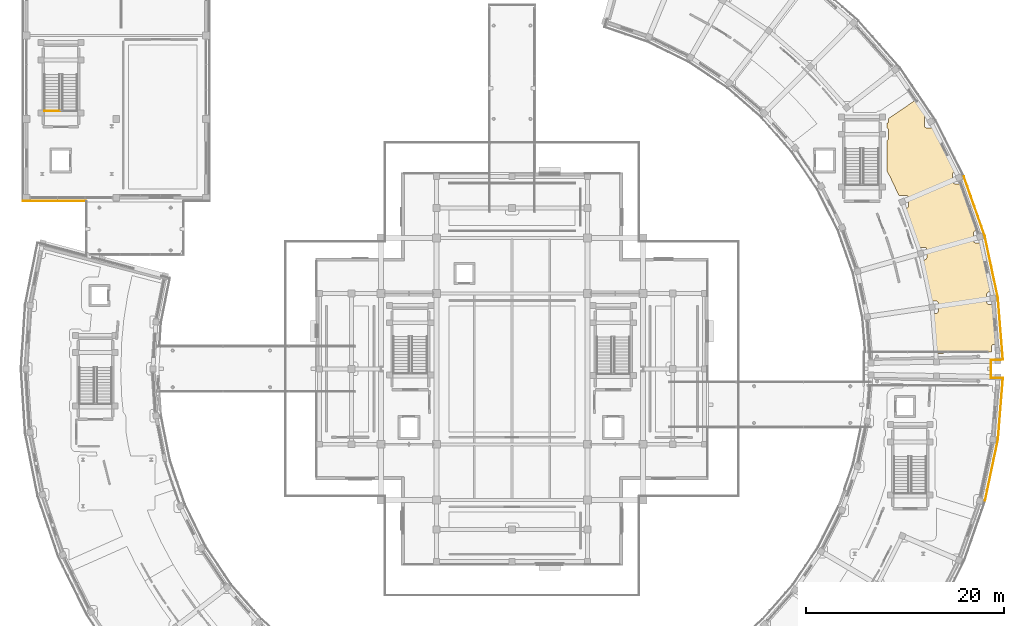
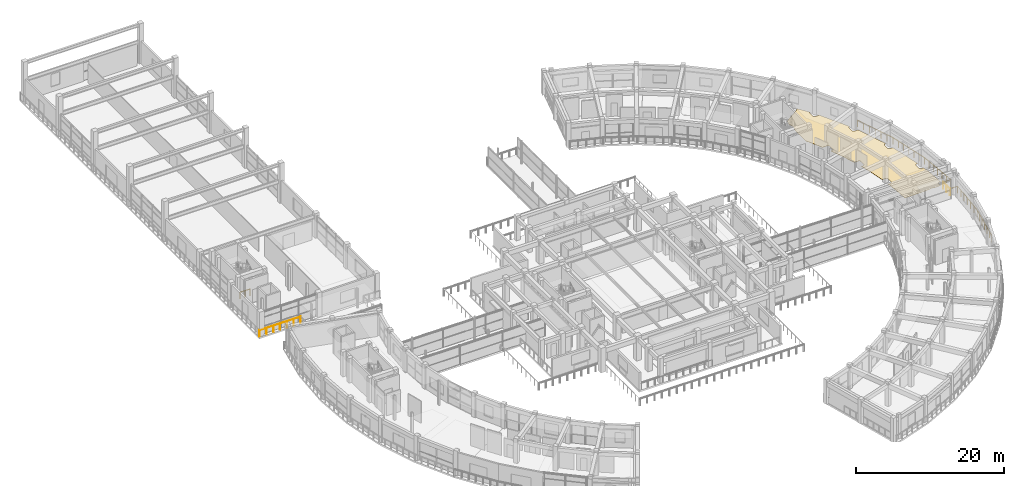
# One storey, part 67 of 72: 10 railings, 1 covering.
"""IFC4 building model written with IfcOpenShell, lengths in metres."""

from ifc_helpers import new_model, si_unit, direction, frame, origin, origin_2d, place, context, subcontext, project, spatial, polyline, rectangle, outline, extrude, material, layer, layer_set, type_object, element, save


model = new_model("IFC4")

# Units and contexts
model_context = context("Model", 3, precision=1e-05, world=origin(), true_north=direction((0.0, 1.0)))
body_context = subcontext(model_context, "Body", "Model", "MODEL_VIEW")
ifc_project = project(units=[si_unit("LENGTHUNIT", "METRE"), si_unit("AREAUNIT", "SQUARE_METRE"), si_unit("VOLUMEUNIT", "CUBIC_METRE"), si_unit("PLANEANGLEUNIT", "RADIAN"), si_unit("MASSUNIT", "GRAM", prefix="KILO")], contexts=[model_context])

# Site, building, storey
site_placement = place(None, origin())
site = spatial("IfcSite", under=ifc_project, at=site_placement, CompositionType="ELEMENT")
building_placement = place(site_placement, origin())
building = spatial("IfcBuilding", under=site, at=building_placement, Name="Saryqyr Civic Hall", CompositionType="ELEMENT")
storey_placement = place(building_placement, frame((0.0, 0.0, 17.25)))
storey = spatial("IfcBuildingStorey", under=building, at=storey_placement, Name="L04", CompositionType="ELEMENT", Elevation=17.25)

# Covering
ifc_material_1 = material(Name="Polished terrazzo tile", Category="stone")
ifc_layer_1 = layer(ifc_material_1, 0.030029296875, Name="Polished terrazzo tile")
ifc_layer_set_1 = layer_set([ifc_layer_1], Name="Polished terrazzo tile")
covering_type = type_object("IfcCoveringType", Name="INT-COV-FLR-30", PredefinedType="FLOORING", material=ifc_layer_set_1)
covering_placement = place(storey_placement, origin())
element("IfcCovering", 1, at=covering_placement, inside=storey, type_object=covering_type, Name="Polished terrazzo flooring Deputy Mayors' Executive Offices", PredefinedType="FLOORING", context=body_context, shape_type="SweptSolid", body=[
    extrude(outline(polyline([(98.691650390625, 109.521484375), (98.67041015625, 109.5087890625), (98.65087890625, 109.494140625), (98.632568359375, 109.477783203125), (98.6162109375, 109.45947265625), (98.6015625, 109.439697265625), (98.5888671875, 109.418701171875), (98.578369140625, 109.396484375), (98.5703125, 109.37353515625), (98.564208984375, 109.349609375), (98.560546875, 109.325439453125), (98.559326171875, 109.30078125), (98.559326171875, 108.541015625), (98.560546875, 108.516357421875), (98.564208984375, 108.4921875), (98.5703125, 108.46826171875), (98.578369140625, 108.4453125), (98.5888671875, 108.423095703125), (98.6015625, 108.402099609375), (98.6162109375, 108.38232421875), (98.632568359375, 108.364013671875), (98.65087890625, 108.34765625), (98.67041015625, 108.3330078125), (98.691650390625, 108.3203125), (98.713623046875, 108.309814453125), (98.73681640625, 108.3017578125), (98.760498046875, 108.295654296875), (98.784912109375, 108.2919921875), (98.809326171875, 108.291015625), (99.453369140625, 108.291015625), (99.78857421875, 107.681640625), (101.55859375, 104.16650390625), (101.680908203125, 103.905517578125), (101.66943359375, 103.905517578125), (101.64501953125, 103.904296875), (101.62060546875, 103.90087890625), (101.5966796875, 103.894775390625), (101.57373046875, 103.88671875), (101.551513671875, 103.876220703125), (101.530517578125, 103.863525390625), (101.5107421875, 103.848876953125), (101.49267578125, 103.83251953125), (101.47607421875, 103.814208984375), (101.46142578125, 103.79443359375), (101.448974609375, 103.7734375), (101.4384765625, 103.751220703125), (101.43017578125, 103.728271484375), (101.42431640625, 103.704345703125), (101.420654296875, 103.68017578125), (101.41943359375, 103.655517578125), (101.41943359375, 102.8955078125), (101.420654296875, 102.87109375), (101.42431640625, 102.8466796875), (101.43017578125, 102.822998046875), (101.4384765625, 102.7998046875), (101.448974609375, 102.77783203125), (101.46142578125, 102.756591796875), (101.47607421875, 102.737060546875), (101.49267578125, 102.71875), (101.5107421875, 102.702392578125), (101.530517578125, 102.687744140625), (101.551513671875, 102.675048828125), (101.57373046875, 102.66455078125), (101.5966796875, 102.656494140625), (101.62060546875, 102.650390625), (101.64501953125, 102.646728515625), (101.66943359375, 102.6455078125), (102.217529296875, 102.6455078125), (102.471435546875, 102.0009765625), (103.781494140625, 98.272216796875), (103.888916015625, 97.938720703125), (103.778076171875, 97.938720703125), (103.75341796875, 97.9375), (103.729248046875, 97.93408203125), (103.705322265625, 97.927978515625), (103.682373046875, 97.919921875), (103.66015625, 97.9091796875), (103.63916015625, 97.896728515625), (103.619384765625, 97.882080078125), (103.601318359375, 97.865478515625), (103.584716796875, 97.847412109375), (103.570068359375, 97.82763671875), (103.5576171875, 97.806640625), (103.547119140625, 97.784423828125), (103.538818359375, 97.761474609375), (103.53271484375, 97.737548828125), (103.529296875, 97.71337890625), (103.528076171875, 97.688720703125), (103.528076171875, 96.9287109375), (103.529296875, 96.904296875), (103.53271484375, 96.8798828125), (103.538818359375, 96.856201171875), (103.547119140625, 96.8330078125), (103.5576171875, 96.81103515625), (103.570068359375, 96.789794921875), (103.584716796875, 96.770263671875), (103.601318359375, 96.751953125), (103.619384765625, 96.735595703125), (103.63916015625, 96.720947265625), (103.66015625, 96.708251953125), (103.682373046875, 96.69775390625), (103.705322265625, 96.689697265625), (103.729248046875, 96.68359375), (103.75341796875, 96.679931640625), (103.778076171875, 96.6787109375), (104.23828125, 96.6787109375), (104.40380859375, 96.022705078125), (105.29248046875, 91.75), (105.10009765625, 91.75), (105.075439453125, 91.748779296875), (105.05126953125, 91.7451171875), (105.02734375, 91.7392578125), (105.00439453125, 91.73095703125), (104.982177734375, 91.720458984375), (104.961181640625, 91.7080078125), (104.94140625, 91.693359375), (104.923095703125, 91.6767578125), (104.90673828125, 91.65869140625), (104.89208984375, 91.638916015625), (104.87939453125, 91.617919921875), (104.868896484375, 91.595703125), (104.86083984375, 91.572509765625), (104.854736328125, 91.548828125), (104.851318359375, 91.5244140625), (104.85009765625, 91.5), (104.85009765625, 90.739990234375), (104.851318359375, 90.715576171875), (104.854736328125, 90.691162109375), (104.86083984375, 90.66748046875), (104.868896484375, 90.644287109375), (104.87939453125, 90.622314453125), (104.89208984375, 90.60107421875), (104.90673828125, 90.581298828125), (104.923095703125, 90.563232421875), (104.94140625, 90.546630859375), (104.961181640625, 90.531982421875), (104.982177734375, 90.51953125), (105.00439453125, 90.509033203125), (105.02734375, 90.500732421875), (105.05126953125, 90.494873046875), (105.075439453125, 90.4912109375), (105.10009765625, 90.489990234375), (105.476806640625, 90.489990234375), (105.55419921875, 89.845947265625), (105.814208984375, 86.46826171875), (105.58544921875, 86.46826171875), (105.56103515625, 86.467041015625), (105.53662109375, 86.46337890625), (105.512939453125, 86.45751953125), (105.48974609375, 86.44921875), (105.4677734375, 86.438720703125), (105.446533203125, 86.42626953125), (105.427001953125, 86.41162109375), (105.40869140625, 86.39501953125), (105.39208984375, 86.376953125), (105.377685546875, 86.357177734375), (105.364990234375, 86.336181640625), (105.3544921875, 86.31396484375), (105.34619140625, 86.291015625), (105.34033203125, 86.26708984375), (105.336669921875, 86.242919921875), (105.33544921875, 86.21826171875), (105.33544921875, 85.689208984375), (104.3662109375, 85.66650390625), (104.35546875, 85.67431640625), (104.334228515625, 85.68701171875), (104.312255859375, 85.697509765625), (104.2890625, 85.705810546875), (104.265380859375, 85.711669921875), (104.240966796875, 85.71533203125), (104.216552734375, 85.716552734375), (103.783447265625, 85.716552734375), (103.759033203125, 85.71533203125), (103.734619140625, 85.711669921875), (103.7109375, 85.705810546875), (103.687744140625, 85.697509765625), (103.665771484375, 85.68701171875), (103.64453125, 85.67431640625), (103.625, 85.659912109375), (103.612548828125, 85.648681640625), (99.7080078125, 85.556640625), (99.587890625, 87.717529296875), (99.584716796875, 87.752685546875), (99.3642578125, 89.589111328125), (99.725830078125, 89.589111328125), (99.750244140625, 89.59033203125), (99.774658203125, 89.593994140625), (99.79833984375, 89.599853515625), (99.821533203125, 89.608154296875), (99.843505859375, 89.61865234375), (99.86474609375, 89.631103515625), (99.884521484375, 89.645751953125), (99.902587890625, 89.662353515625), (99.919189453125, 89.680419921875), (99.93359375, 89.7001953125), (99.9462890625, 89.72119140625), (99.956787109375, 89.743408203125), (99.965087890625, 89.7666015625), (99.970947265625, 89.790283203125), (99.974609375, 89.814697265625), (99.975830078125, 89.839111328125), (99.975830078125, 90.59912109375), (99.974609375, 90.62353515625), (99.970947265625, 90.64794921875), (99.965087890625, 90.671630859375), (99.956787109375, 90.69482421875), (99.9462890625, 90.716796875), (99.93359375, 90.738037109375), (99.919189453125, 90.7578125), (99.902587890625, 90.77587890625), (99.884521484375, 90.79248046875), (99.86474609375, 90.806884765625), (99.843505859375, 90.819580078125), (99.821533203125, 90.830078125), (99.79833984375, 90.83837890625), (99.774658203125, 90.84423828125), (99.750244140625, 90.847900390625), (99.725830078125, 90.84912109375), (99.186767578125, 90.84912109375), (98.76611328125, 93.1171875), (98.7587890625, 93.151611328125), (98.293212890625, 94.994873046875), (98.571044921875, 94.994873046875), (98.595703125, 94.99609375), (98.619873046875, 94.99951171875), (98.643798828125, 95.005615234375), (98.666748046875, 95.013916015625), (98.68896484375, 95.0244140625), (98.7099609375, 95.036865234375), (98.729736328125, 95.051513671875), (98.747802734375, 95.068115234375), (98.764404296875, 95.086181640625), (98.779052734375, 95.10595703125), (98.79150390625, 95.126953125), (98.802001953125, 95.149169921875), (98.810302734375, 95.172119140625), (98.81640625, 95.196044921875), (98.81982421875, 95.22021484375), (98.821044921875, 95.244873046875), (98.821044921875, 96.0048828125), (98.81982421875, 96.029296875), (98.81640625, 96.0537109375), (98.810302734375, 96.077392578125), (98.802001953125, 96.1005859375), (98.79150390625, 96.12255859375), (98.779052734375, 96.143798828125), (98.764404296875, 96.163330078125), (98.747802734375, 96.181640625), (98.729736328125, 96.197998046875), (98.7099609375, 96.212646484375), (98.68896484375, 96.225341796875), (98.666748046875, 96.23583984375), (98.643798828125, 96.243896484375), (98.619873046875, 96.25), (98.595703125, 96.253662109375), (98.571044921875, 96.2548828125), (97.942626953125, 96.2548828125), (97.262939453125, 98.367919921875), (97.251220703125, 98.40087890625), (96.5400390625, 100.206787109375), (96.729248046875, 100.206787109375), (96.75390625, 100.2080078125), (96.778076171875, 100.21142578125), (96.802001953125, 100.217529296875), (96.824951171875, 100.2255859375), (96.84716796875, 100.236083984375), (96.8681640625, 100.248779296875), (96.887939453125, 100.263427734375), (96.906005859375, 100.27978515625), (96.922607421875, 100.298095703125), (96.937255859375, 100.31787109375), (96.94970703125, 100.3388671875), (96.960205078125, 100.361083984375), (96.968505859375, 100.384033203125), (96.974609375, 100.407958984375), (96.97802734375, 100.43212890625), (96.979248046875, 100.456787109375), (96.979248046875, 101.216796875), (96.97802734375, 101.2412109375), (96.974609375, 101.265380859375), (96.968505859375, 101.289306640625), (96.960205078125, 101.3125), (96.94970703125, 101.33447265625), (96.937255859375, 101.355712890625), (96.922607421875, 101.375244140625), (96.906005859375, 101.3935546875), (96.887939453125, 101.409912109375), (96.8681640625, 101.424560546875), (96.84716796875, 101.437255859375), (96.824951171875, 101.44775390625), (96.802001953125, 101.455810546875), (96.778076171875, 101.4619140625), (96.75390625, 101.465576171875), (96.729248046875, 101.466796875), (96.0029296875, 101.466796875), (95.1025390625, 103.384033203125), (95.086669921875, 103.415283203125), (94.820068359375, 103.89990234375), (94.820068359375, 107.041015625), (94.837890625, 107.049560546875), (94.85888671875, 107.06201171875), (94.878662109375, 107.07666015625), (94.896728515625, 107.09326171875), (94.913330078125, 107.111328125), (94.927978515625, 107.131103515625), (94.9404296875, 107.152099609375), (94.950927734375, 107.17431640625), (94.959228515625, 107.197509765625), (94.965087890625, 107.22119140625), (94.96875, 107.24560546875), (94.969970703125, 107.27001953125), (94.969970703125, 108.030029296875), (94.96875, 108.054443359375), (94.965087890625, 108.078857421875), (94.959228515625, 108.1025390625), (94.950927734375, 108.125732421875), (94.9404296875, 108.147705078125), (94.927978515625, 108.1689453125), (94.913330078125, 108.188720703125), (94.896728515625, 108.206787109375), (94.878662109375, 108.223388671875), (94.85888671875, 108.23779296875), (94.837890625, 108.25048828125), (94.820068359375, 108.2587890625), (94.820068359375, 108.77099609375), (94.837890625, 108.779541015625), (94.85888671875, 108.7919921875), (94.878662109375, 108.806640625), (94.896728515625, 108.8232421875), (94.913330078125, 108.84130859375), (94.927978515625, 108.861083984375), (94.9404296875, 108.882080078125), (94.950927734375, 108.904296875), (94.959228515625, 108.927490234375), (94.965087890625, 108.951171875), (94.96875, 108.9755859375), (94.969970703125, 109.0), (94.969970703125, 109.24755859375), (97.668212890625, 111.089111328125), (98.70556640625, 109.528076171875), (98.691650390625, 109.521484375)])), origin(), (0.0, 0.0, 1.0), 0.030029296875),
])

# Railings
ifc_material_2 = material(Name="Warm brushed brass and laminated glass", Category="glass")
ifc_layer_2 = layer(ifc_material_2, 0.06005859375, Name="Warm brushed brass and laminated glass")
ifc_layer_set_2 = layer_set([ifc_layer_2], Name="Warm brushed brass and laminated glass")
railing_type = type_object("IfcRailingType", Name="INT-RLG-BAL-1100", PredefinedType="BALUSTRADE", material=ifc_layer_set_2)
railing_1_placement = place(storey_placement, frame((14.10009765625, 100.89990234375, 0.0)))
element("IfcRailing", 2, at=railing_1_placement, inside=storey, type_object=railing_type, Name="Interior deck safety balustrade L04-015", PredefinedType="BALUSTRADE", context=body_context, shape_type="SweptSolid", body=[
    extrude(rectangle(XDim=0.048095703125, YDim=0.048095703125, at=origin_2d()), frame((0.0, 0.0, 1.09619140625), z_axis=(-1.0, 0.0, 0.0), x_axis=(0.0, -1.0, 0.0)), (0.0, 0.0, 1.0), 6.400146484375),
    extrude(rectangle(XDim=0.0419921875, YDim=0.0419921875, at=origin_2d()), origin(), (0.0, 0.0, 1.0), 1.072021484375),
    extrude(rectangle(XDim=0.0419921875, YDim=0.0419921875, at=origin_2d()), frame((-1.066650390625, 0.0, 0.0)), (0.0, 0.0, 1.0), 1.072021484375),
    extrude(rectangle(XDim=0.0419921875, YDim=0.0419921875, at=origin_2d()), frame((-2.13330078125, 0.0, 0.0)), (0.0, 0.0, 1.0), 1.072021484375),
    extrude(rectangle(XDim=0.0419921875, YDim=0.0419921875, at=origin_2d()), frame((-3.2001953125, 0.0, 0.0)), (0.0, 0.0, 1.0), 1.072021484375),
    extrude(rectangle(XDim=0.0419921875, YDim=0.0419921875, at=origin_2d()), frame((-4.266845703125, 0.0, 0.0)), (0.0, 0.0, 1.0), 1.072021484375),
    extrude(rectangle(XDim=0.0419921875, YDim=0.0419921875, at=origin_2d()), frame((-5.33349609375, 0.0, 0.0)), (0.0, 0.0, 1.0), 1.072021484375),
    extrude(rectangle(XDim=0.0419921875, YDim=0.0419921875, at=origin_2d()), frame((-6.400146484375, 0.0, 0.0)), (0.0, 0.0, 1.0), 1.072021484375),
])
railing_2_placement = place(storey_placement, frame((102.55029296875, 103.375244140625, 0.0)))
element("IfcRailing", 3, at=railing_2_placement, inside=storey, type_object=railing_type, Name="Interior deck safety balustrade L04-054", PredefinedType="BALUSTRADE", context=body_context, shape_type="SweptSolid", body=[
    extrude(rectangle(XDim=0.048095703125, YDim=0.048095703125, at=origin_2d()), frame((0.0, 0.0, 1.09619140625), z_axis=(0.331496156423, -0.943456569364, 0.0), x_axis=(0.943456569364, 0.331496156423, 0.0)), (0.0, 0.0, 1.0), 6.358154296875),
    extrude(rectangle(XDim=0.0419921875, YDim=0.0419921875, at=origin_2d()), origin(), (0.0, 0.0, 1.0), 1.072021484375),
    extrude(rectangle(XDim=0.0419921875, YDim=0.0419921875, at=origin_2d()), frame((0.351318359375, -0.999755859375, 0.0)), (0.0, 0.0, 1.0), 1.072021484375),
    extrude(rectangle(XDim=0.0419921875, YDim=0.0419921875, at=origin_2d()), frame((0.70263671875, -1.99951171875, 0.0)), (0.0, 0.0, 1.0), 1.072021484375),
    extrude(rectangle(XDim=0.0419921875, YDim=0.0419921875, at=origin_2d()), frame((1.0537109375, -2.999267578125, 0.0)), (0.0, 0.0, 1.0), 1.072021484375),
    extrude(rectangle(XDim=0.0419921875, YDim=0.0419921875, at=origin_2d()), frame((1.405029296875, -3.9990234375, 0.0)), (0.0, 0.0, 1.0), 1.072021484375),
    extrude(rectangle(XDim=0.0419921875, YDim=0.0419921875, at=origin_2d()), frame((1.75634765625, -4.998779296875, 0.0)), (0.0, 0.0, 1.0), 1.072021484375),
    extrude(rectangle(XDim=0.0419921875, YDim=0.0419921875, at=origin_2d()), frame((2.107666015625, -5.99853515625, 0.0)), (0.0, 0.0, 1.0), 1.072021484375),
])
railing_3_placement = place(storey_placement, frame((104.657958984375, 97.376708984375, 0.0)))
element("IfcRailing", 4, at=railing_3_placement, inside=storey, type_object=railing_type, Name="Interior deck safety balustrade L04-055", PredefinedType="BALUSTRADE", context=body_context, shape_type="SweptSolid", body=[
    extrude(rectangle(XDim=0.048095703125, YDim=0.048095703125, at=origin_2d()), frame((0.0, 0.0, 1.09619140625), z_axis=(0.207858296561, -0.97815894851, 0.0), x_axis=(0.97815894851, 0.207858296561, 0.0)), (0.0, 0.0, 1.0), 6.35791015625),
    extrude(rectangle(XDim=0.0419921875, YDim=0.0419921875, at=origin_2d()), origin(), (0.0, 0.0, 1.0), 1.072021484375),
    extrude(rectangle(XDim=0.0419921875, YDim=0.0419921875, at=origin_2d()), frame((0.22021484375, -1.03662109375, 0.0)), (0.0, 0.0, 1.0), 1.072021484375),
    extrude(rectangle(XDim=0.0419921875, YDim=0.0419921875, at=origin_2d()), frame((0.4404296875, -2.072998046875, 0.0)), (0.0, 0.0, 1.0), 1.072021484375),
    extrude(rectangle(XDim=0.0419921875, YDim=0.0419921875, at=origin_2d()), frame((0.66064453125, -3.109375, 0.0)), (0.0, 0.0, 1.0), 1.072021484375),
    extrude(rectangle(XDim=0.0419921875, YDim=0.0419921875, at=origin_2d()), frame((0.881103515625, -4.14599609375, 0.0)), (0.0, 0.0, 1.0), 1.072021484375),
    extrude(rectangle(XDim=0.0419921875, YDim=0.0419921875, at=origin_2d()), frame((1.101318359375, -5.1826171875, 0.0)), (0.0, 0.0, 1.0), 1.072021484375),
    extrude(rectangle(XDim=0.0419921875, YDim=0.0419921875, at=origin_2d()), frame((1.321533203125, -6.218994140625, 0.0)), (0.0, 0.0, 1.0), 1.072021484375),
])
railing_4_placement = place(storey_placement, frame((105.9794921875, 91.15771484375, 0.0)))
element("IfcRailing", 5, at=railing_4_placement, inside=storey, type_object=railing_type, Name="Interior deck safety balustrade L04-056", PredefinedType="BALUSTRADE", context=body_context, shape_type="SweptSolid", body=[
    extrude(rectangle(XDim=0.048095703125, YDim=0.048095703125, at=origin_2d()), frame((0.0, 0.0, 1.09619140625), z_axis=(0.080762441528, -0.996733378612, 0.0), x_axis=(0.996733378612, 0.080762441528, 0.0)), (0.0, 0.0, 1.0), 6.257568359375),
    extrude(rectangle(XDim=0.0419921875, YDim=0.0419921875, at=origin_2d()), origin(), (0.0, 0.0, 1.0), 1.072021484375),
    extrude(rectangle(XDim=0.0419921875, YDim=0.0419921875, at=origin_2d()), frame((0.084228515625, -1.03955078125, 0.0)), (0.0, 0.0, 1.0), 1.072021484375),
    extrude(rectangle(XDim=0.0419921875, YDim=0.0419921875, at=origin_2d()), frame((0.16845703125, -2.0791015625, 0.0)), (0.0, 0.0, 1.0), 1.072021484375),
    extrude(rectangle(XDim=0.0419921875, YDim=0.0419921875, at=origin_2d()), frame((0.252685546875, -3.11865234375, 0.0)), (0.0, 0.0, 1.0), 1.072021484375),
    extrude(rectangle(XDim=0.0419921875, YDim=0.0419921875, at=origin_2d()), frame((0.3369140625, -4.157958984375, 0.0)), (0.0, 0.0, 1.0), 1.072021484375),
    extrude(rectangle(XDim=0.0419921875, YDim=0.0419921875, at=origin_2d()), frame((0.421142578125, -5.197509765625, 0.0)), (0.0, 0.0, 1.0), 1.072021484375),
    extrude(rectangle(XDim=0.0419921875, YDim=0.0419921875, at=origin_2d()), frame((0.50537109375, -6.237060546875, 0.0)), (0.0, 0.0, 1.0), 1.072021484375),
])
railing_5_placement = place(storey_placement, frame((106.48486328125, 84.920654296875, 0.0)))
element("IfcRailing", 6, at=railing_5_placement, inside=storey, type_object=railing_type, Name="Interior deck safety balustrade L04-057", PredefinedType="BALUSTRADE", context=body_context, shape_type="SweptSolid", body=[
    extrude(rectangle(XDim=0.048095703125, YDim=0.048095703125, at=origin_2d()), frame((0.0, 0.0, 1.09619140625), z_axis=(-0.999860739249, -0.016688382419, 0.0), x_axis=(0.016688382419, -0.999860739249, 0.0)), (0.0, 0.0, 1.0), 1.18505859375),
    extrude(rectangle(XDim=0.0419921875, YDim=0.0419921875, at=origin_2d()), origin(), (0.0, 0.0, 1.0), 1.072021484375),
    extrude(rectangle(XDim=0.0419921875, YDim=0.0419921875, at=origin_2d()), frame((-1.184814453125, -0.019775390625, 0.0)), (0.0, 0.0, 1.0), 1.072021484375),
])
railing_6_placement = place(storey_placement, frame((105.300048828125, 84.90087890625, 0.0)))
element("IfcRailing", 7, at=railing_6_placement, inside=storey, type_object=railing_type, Name="Interior deck safety balustrade L04-058", PredefinedType="BALUSTRADE", context=body_context, shape_type="SweptSolid", body=[
    extrude(rectangle(XDim=0.048095703125, YDim=0.048095703125, at=origin_2d()), frame((0.0, 0.0, 1.09619140625), z_axis=(0.0, -1.0, 0.0), x_axis=(1.0, 0.0, 0.0)), (0.0, 0.0, 1.0), 1.8017578125),
    extrude(rectangle(XDim=0.0419921875, YDim=0.0419921875, at=origin_2d()), origin(), (0.0, 0.0, 1.0), 1.072021484375),
    extrude(rectangle(XDim=0.0419921875, YDim=0.0419921875, at=origin_2d()), frame((0.0, -0.90087890625, 0.0)), (0.0, 0.0, 1.0), 1.072021484375),
    extrude(rectangle(XDim=0.0419921875, YDim=0.0419921875, at=origin_2d()), frame((0.0, -1.8017578125, 0.0)), (0.0, 0.0, 1.0), 1.072021484375),
])
railing_7_placement = place(storey_placement, frame((105.300048828125, 83.09912109375, 0.0)))
element("IfcRailing", 8, at=railing_7_placement, inside=storey, type_object=railing_type, Name="Interior deck safety balustrade L04-059", PredefinedType="BALUSTRADE", context=body_context, shape_type="SweptSolid", body=[
    extrude(rectangle(XDim=0.048095703125, YDim=0.048095703125, at=origin_2d()), frame((0.0, 0.0, 1.09619140625), z_axis=(0.999860796611, -0.016684945308, 0.0), x_axis=(0.016684945308, 0.999860796611, 0.0)), (0.0, 0.0, 1.0), 1.185302734375),
    extrude(rectangle(XDim=0.0419921875, YDim=0.0419921875, at=origin_2d()), origin(), (0.0, 0.0, 1.0), 1.072021484375),
    extrude(rectangle(XDim=0.0419921875, YDim=0.0419921875, at=origin_2d()), frame((1.18505859375, -0.019775390625, 0.0)), (0.0, 0.0, 1.0), 1.072021484375),
])
railing_8_placement = place(storey_placement, frame((106.485107421875, 83.079345703125, 0.0)))
element("IfcRailing", 9, at=railing_8_placement, inside=storey, type_object=railing_type, Name="Interior deck safety balustrade L04-060", PredefinedType="BALUSTRADE", context=body_context, shape_type="SweptSolid", body=[
    extrude(rectangle(XDim=0.048095703125, YDim=0.048095703125, at=origin_2d()), frame((0.0, 0.0, 1.09619140625), z_axis=(-0.080309228411, -0.996769997458, 0.0), x_axis=(0.996769997458, -0.080309228411, 0.0)), (0.0, 0.0, 1.0), 6.210693359375),
    extrude(rectangle(XDim=0.0419921875, YDim=0.0419921875, at=origin_2d()), origin(), (0.0, 0.0, 1.0), 1.072021484375),
    extrude(rectangle(XDim=0.0419921875, YDim=0.0419921875, at=origin_2d()), frame((-0.0830078125, -1.03173828125, 0.0)), (0.0, 0.0, 1.0), 1.072021484375),
    extrude(rectangle(XDim=0.0419921875, YDim=0.0419921875, at=origin_2d()), frame((-0.166259765625, -2.0634765625, 0.0)), (0.0, 0.0, 1.0), 1.072021484375),
    extrude(rectangle(XDim=0.0419921875, YDim=0.0419921875, at=origin_2d()), frame((-0.24951171875, -3.09521484375, 0.0)), (0.0, 0.0, 1.0), 1.072021484375),
    extrude(rectangle(XDim=0.0419921875, YDim=0.0419921875, at=origin_2d()), frame((-0.33251953125, -4.127197265625, 0.0)), (0.0, 0.0, 1.0), 1.072021484375),
    extrude(rectangle(XDim=0.0419921875, YDim=0.0419921875, at=origin_2d()), frame((-0.41552734375, -5.158935546875, 0.0)), (0.0, 0.0, 1.0), 1.072021484375),
    extrude(rectangle(XDim=0.0419921875, YDim=0.0419921875, at=origin_2d()), frame((-0.498779296875, -6.190673828125, 0.0)), (0.0, 0.0, 1.0), 1.072021484375),
])
railing_9_placement = place(storey_placement, frame((105.986328125, 76.888671875, 0.0)))
element("IfcRailing", 10, at=railing_9_placement, inside=storey, type_object=railing_type, Name="Interior deck safety balustrade L04-061", PredefinedType="BALUSTRADE", context=body_context, shape_type="SweptSolid", body=[
    extrude(rectangle(XDim=0.048095703125, YDim=0.048095703125, at=origin_2d()), frame((0.0, 0.0, 1.09619140625), z_axis=(-0.206453009757, -0.978456516541, 0.0), x_axis=(0.978456516541, -0.206453009757, 0.0)), (0.0, 0.0, 1.0), 6.311279296875),
    extrude(rectangle(XDim=0.0419921875, YDim=0.0419921875, at=origin_2d()), origin(), (0.0, 0.0, 1.0), 1.072021484375),
    extrude(rectangle(XDim=0.0419921875, YDim=0.0419921875, at=origin_2d()), frame((-0.21728515625, -1.029296875, 0.0)), (0.0, 0.0, 1.0), 1.072021484375),
    extrude(rectangle(XDim=0.0419921875, YDim=0.0419921875, at=origin_2d()), frame((-0.434326171875, -2.058349609375, 0.0)), (0.0, 0.0, 1.0), 1.072021484375),
    extrude(rectangle(XDim=0.0419921875, YDim=0.0419921875, at=origin_2d()), frame((-0.6513671875, -3.087646484375, 0.0)), (0.0, 0.0, 1.0), 1.072021484375),
    extrude(rectangle(XDim=0.0419921875, YDim=0.0419921875, at=origin_2d()), frame((-0.86865234375, -4.116943359375, 0.0)), (0.0, 0.0, 1.0), 1.072021484375),
    extrude(rectangle(XDim=0.0419921875, YDim=0.0419921875, at=origin_2d()), frame((-1.0859375, -5.14599609375, 0.0)), (0.0, 0.0, 1.0), 1.072021484375),
    extrude(rectangle(XDim=0.0419921875, YDim=0.0419921875, at=origin_2d()), frame((-1.302978515625, -6.17529296875, 0.0)), (0.0, 0.0, 1.0), 1.072021484375),
])
railing_10_placement = place(storey_placement, frame((9.885009765625, 109.97998046875, 0.0)))
element("IfcRailing", 11, at=railing_10_placement, inside=storey, type_object=railing_type, Name="Interior deck safety balustrade L04-105", PredefinedType="BALUSTRADE", context=body_context, shape_type="SweptSolid", body=[
    extrude(rectangle(XDim=0.048095703125, YDim=0.048095703125, at=origin_2d()), frame((0.0, 0.0, 1.09619140625), z_axis=(1.0, 0.0, 0.0), x_axis=(0.0, 1.0, 0.0)), (0.0, 0.0, 1.0), 1.534912109375),
    extrude(rectangle(XDim=0.0419921875, YDim=0.0419921875, at=origin_2d()), origin(), (0.0, 0.0, 1.0), 1.072021484375),
    extrude(rectangle(XDim=0.0419921875, YDim=0.0419921875, at=origin_2d()), frame((0.767578125, 0.0, 0.0)), (0.0, 0.0, 1.0), 1.072021484375),
    extrude(rectangle(XDim=0.0419921875, YDim=0.0419921875, at=origin_2d()), frame((1.534912109375, 0.0, 0.0)), (0.0, 0.0, 1.0), 1.072021484375),
])

save(model, "model.ifc")
